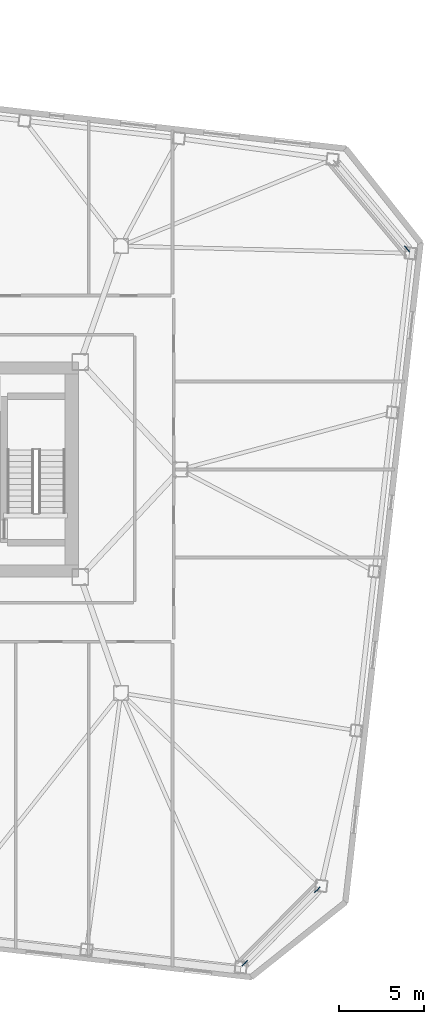
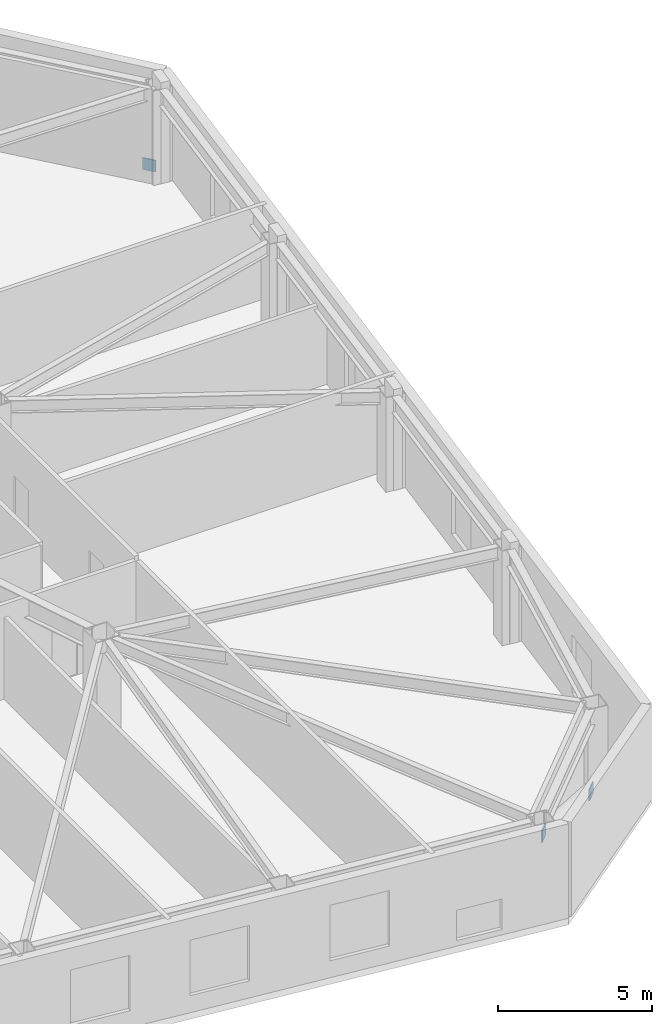
# One storey, part 19 of 21: 3 discrete accessories.
"""IFC4 building model written with IfcOpenShell, lengths in metres."""

from ifc_helpers import new_model, si_unit, direction, frame, origin, origin_2d, place, context, subcontext, project, spatial, rectangle, extrude, material, type_object, element, save


model = new_model("IFC4")

# Units and contexts
model_context = context("Model", 3, precision=1e-05, world=origin(), true_north=direction((0.0, 1.0)))
body_context = subcontext(model_context, "Body", "Model", "MODEL_VIEW")
ifc_project = project(units=[si_unit("LENGTHUNIT", "METRE"), si_unit("AREAUNIT", "SQUARE_METRE"), si_unit("VOLUMEUNIT", "CUBIC_METRE"), si_unit("PLANEANGLEUNIT", "RADIAN"), si_unit("MASSUNIT", "GRAM", prefix="KILO")], contexts=[model_context])

# Site, building, storey
site_placement = place(None, origin())
site = spatial("IfcSite", under=ifc_project, at=site_placement, CompositionType="ELEMENT")
building_placement = place(site_placement, origin())
building = spatial("IfcBuilding", under=site, at=building_placement, Name="Tavrogorsk Clinical Tower", CompositionType="ELEMENT")
storey_placement = place(building_placement, frame((0.0, 0.0, 129.39990234375)))
storey = spatial("IfcBuildingStorey", under=building, at=storey_placement, Name="L29", CompositionType="ELEMENT", Elevation=129.39990234375)

# Discrete accessories
ifc_material = material(Name="Structural steel S440", Category="steel")
discrete_accessory_type = type_object("IfcDiscreteAccessoryType", Name="GussetPlateBracket_25", PredefinedType="BRACKET", material=ifc_material)
for number, where, z_axis, x_axis, name in (
    (1, (36.1025390625, -24.82763671875, 0.20458984375), (0.0, 0.0, 1.0), (-0.702898299792, -0.711290362756, 0.0), "L29 Brace Gusset Plate EXOCRN-L29-1-A"),
    (2, (31.81640625, -29.1650390625, 2.67578125), (0.0, 0.0, 1.0), (-0.702898299792, -0.711290362756, 0.0), "L29 Brace Gusset Plate EXOCRN-L29-1-B"),
    (3, (41.40771484375, 13.03076171875, 0.197021484375), (0.0, 0.0, 1.0), (-0.640243780506, 0.768171791674, 0.0), "L29 Brace Gusset Plate EXOCRN-L29-2-A"),
):
    element("IfcDiscreteAccessory", number, at=place(storey_placement, frame(where, z_axis=z_axis, x_axis=x_axis)), inside=storey, type_object=discrete_accessory_type, Name=name, PredefinedType="BRACKET", context=body_context, shape_type="SweptSolid", body=[
        extrude(rectangle(XDim=0.4599609375, YDim=0.0400390625, at=origin_2d()), origin(), (0.0, 0.0, 1.0), 0.4599609375),
    ])

save(model, "model.ifc")
